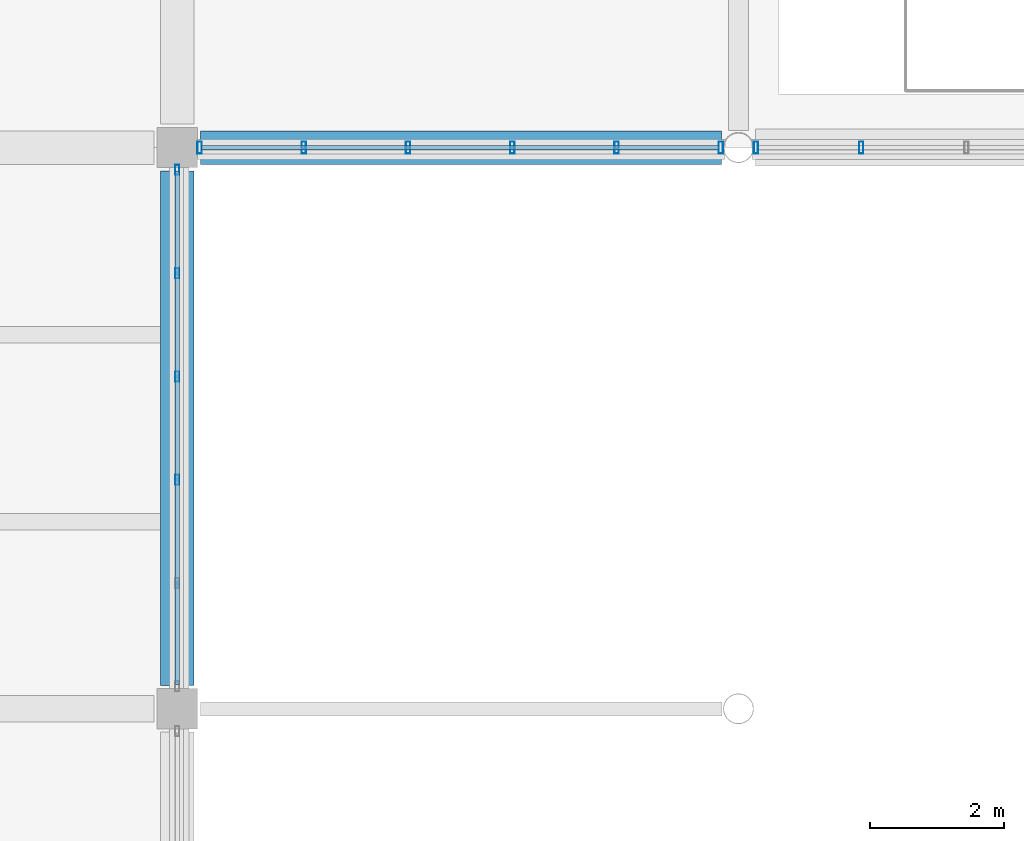
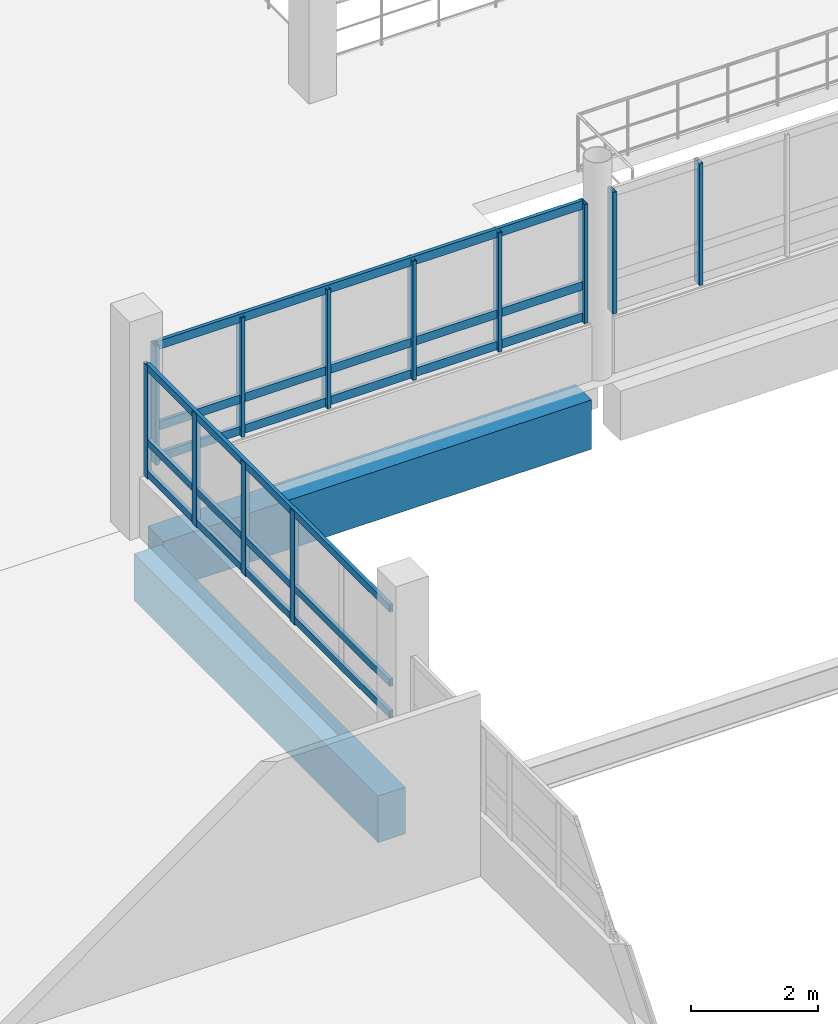
# One storey, part 49 of 101: 18 members, 2 beams, 3 elements without a shape of their own.
"""IFC4 building model written with IfcOpenShell, lengths in metres."""

from ifc_helpers import new_model, si_unit, direction, frame, origin, origin_2d, place, context, subcontext, project, spatial, rectangle, hollow_rectangle, extrude, material, layer, layer_set, material_profile, profile_set, type_object, element, aggregate, save


model = new_model("IFC4")

# Units and contexts
model_context = context("Model", 3, precision=1e-05, world=origin(), true_north=direction((0.0, 1.0)))
body_context = subcontext(model_context, "Body", "Model", "MODEL_VIEW")
ifc_project = project(units=[si_unit("LENGTHUNIT", "METRE"), si_unit("AREAUNIT", "SQUARE_METRE"), si_unit("VOLUMEUNIT", "CUBIC_METRE"), si_unit("PLANEANGLEUNIT", "RADIAN"), si_unit("MASSUNIT", "GRAM", prefix="KILO")], contexts=[model_context])

# Site, building, storey
site_placement = place(None, origin())
site = spatial("IfcSite", under=ifc_project, at=site_placement, CompositionType="ELEMENT")
building_placement = place(site_placement, origin())
building = spatial("IfcBuilding", under=site, at=building_placement, Name="Vireocrest Preparatory School", CompositionType="ELEMENT")
storey_placement = place(building_placement, frame((0.0, 0.0, 4.800048828125)))
storey = spatial("IfcBuildingStorey", under=building, at=storey_placement, Name="L01", CompositionType="ELEMENT", Elevation=4.800048828125)

# Curtain wall, members
ifc_material_1 = material(Name="Thermally broken aluminium EN AW-6063-T6", Category="aluminium")
ifc_layer_1 = layer(ifc_material_1, 0.179931640625)
ifc_layer_set_1 = layer_set([ifc_layer_1], Name="Thermally broken aluminium EN AW-6063-T6")
curtain_wall_type_1 = type_object("IfcCurtainWallType", Name="Court Banded Curtain Wall 8400x3000", PredefinedType="USERDEFINED", material=ifc_layer_set_1)
curtain_wall_1_placement = place(storey_placement, origin())
curtain_wall_1 = element("IfcCurtainWall", 1, at=curtain_wall_1_placement, inside=storey, type_object=curtain_wall_type_1, Name="Curtain Wall CW02 CW_L01_CW02_0672_0777_060", ObjectType="CURTAIN WALL", PredefinedType="USERDEFINED")
ifc_material_profile_1 = material_profile(ifc_material_1, hollow_rectangle(XDim=0.06494140625, YDim=0.14990234375, WallThickness=0.00390625, at=origin_2d()), Name="ALU 65x150x4")
ifc_profile_set_1 = profile_set([ifc_material_profile_1], Name="Thermally broken aluminium EN AW-6063-T6")
member_type_1 = type_object("IfcMemberType", Name="CW Mullion 65x150x4", PredefinedType="MULLION", material=ifc_profile_set_1)
member_1_placement = place(storey_placement, frame((67.199951171875, 80.826904296875, 1.14990234375), z_axis=(0.0, 0.0, 1.0), x_axis=(1.0, 0.0, 0.0)))
member_1 = element("IfcMember", 2, at=member_1_placement, type_object=member_type_1, Name="CW Mullion ML1 CW_L01_CW02_0672_0777_060-3", PredefinedType="MULLION", context=body_context, shape_type="SweptSolid", body=[
    extrude(hollow_rectangle(XDim=0.06494140625, YDim=0.14990234375, WallThickness=0.00390625, at=origin_2d()), origin(), (0.0, 0.0, 1.0), 2.175048828125),
])
member_2_placement = place(storey_placement, frame((67.199951171875, 82.373046875, 1.14990234375), z_axis=(0.0, 0.0, 1.0), x_axis=(1.0, 0.0, 0.0)))
member_2 = element("IfcMember", 3, at=member_2_placement, type_object=member_type_1, Name="CW Mullion ML1 CW_L01_CW02_0672_0777_060-4", PredefinedType="MULLION", context=body_context, shape_type="SweptSolid", body=[
    extrude(hollow_rectangle(XDim=0.06494140625, YDim=0.14990234375, WallThickness=0.00390625, at=origin_2d()), origin(), (0.0, 0.0, 1.0), 2.175048828125),
])
member_3_placement = place(storey_placement, frame((67.199951171875, 83.9189453125, 1.14990234375), z_axis=(0.0, 0.0, 1.0), x_axis=(1.0, 0.0, 0.0)))
member_3 = element("IfcMember", 4, at=member_3_placement, type_object=member_type_1, Name="CW Mullion ML1 CW_L01_CW02_0672_0777_060-5", PredefinedType="MULLION", context=body_context, shape_type="SweptSolid", body=[
    extrude(hollow_rectangle(XDim=0.06494140625, YDim=0.14990234375, WallThickness=0.00390625, at=origin_2d()), origin(), (0.0, 0.0, 1.0), 2.175048828125),
])
member_4_placement = place(storey_placement, frame((67.199951171875, 85.465087890625, 1.14990234375), z_axis=(0.0, 0.0, 1.0), x_axis=(1.0, 0.0, 0.0)))
member_4 = element("IfcMember", 5, at=member_4_placement, type_object=member_type_1, Name="CW Mullion ML1 CW_L01_CW02_0672_0777_060-6", PredefinedType="MULLION", context=body_context, shape_type="SweptSolid", body=[
    extrude(hollow_rectangle(XDim=0.06494140625, YDim=0.14990234375, WallThickness=0.00390625, at=origin_2d()), origin(), (0.0, 0.0, 1.0), 2.175048828125),
])

ifc_layer_2 = layer(ifc_material_1, 0.179931640625)
ifc_layer_set_2 = layer_set([ifc_layer_2], Name="Thermally broken aluminium EN AW-6063-T6")
curtain_wall_type_2 = type_object("IfcCurtainWallType", Name="Court Banded Curtain Wall 8400x3600", PredefinedType="USERDEFINED", material=ifc_layer_set_2)
curtain_wall_2_placement = place(storey_placement, origin())
curtain_wall_2 = element("IfcCurtainWall", 6, at=curtain_wall_2_placement, inside=storey, type_object=curtain_wall_type_2, Name="Curtain Wall CW01 CW_L01_CW01_0675_0858_059", ObjectType="CURTAIN WALL", PredefinedType="USERDEFINED")
ifc_material_profile_2 = material_profile(ifc_material_1, hollow_rectangle(XDim=0.06494140625, YDim=0.179931640625, WallThickness=0.00390625, at=origin_2d()), Name="ALU 65x180x4")
ifc_profile_set_2 = profile_set([ifc_material_profile_2], Name="Thermally broken aluminium EN AW-6063-T6")
member_type_2 = type_object("IfcMemberType", Name="CW Mullion 65x180x4", PredefinedType="MULLION", material=ifc_profile_set_2)
member_5_placement = place(storey_placement, frame((67.534912109375, 85.800048828125, 1.099853515625), z_axis=(0.0, 0.0, 1.0), x_axis=(1.0, 0.0, 0.0)))
member_5 = element("IfcMember", 7, at=member_5_placement, type_object=member_type_2, Name="CW Mullion ML2 CW_L01_CW01_0675_0858_059-1", PredefinedType="MULLION", context=body_context, shape_type="SweptSolid", body=[
    extrude(hollow_rectangle(XDim=0.06494140625, YDim=0.179931640625, WallThickness=0.00390625, at=origin_2d()), origin(), (0.0, 0.0, 1.0), 2.295166015625),
])
member_6_placement = place(storey_placement, frame((69.09521484375, 85.800048828125, 1.099853515625), z_axis=(0.0, 0.0, 1.0), x_axis=(1.0, 0.0, 0.0)))
member_6 = element("IfcMember", 8, at=member_6_placement, type_object=member_type_2, Name="CW Mullion ML2 CW_L01_CW01_0675_0858_059-2", PredefinedType="MULLION", context=body_context, shape_type="SweptSolid", body=[
    extrude(hollow_rectangle(XDim=0.06494140625, YDim=0.179931640625, WallThickness=0.00390625, at=origin_2d()), origin(), (0.0, 0.0, 1.0), 2.295166015625),
])
member_7_placement = place(storey_placement, frame((70.655517578125, 85.800048828125, 1.099853515625), z_axis=(0.0, 0.0, 1.0), x_axis=(1.0, 0.0, 0.0)))
member_7 = element("IfcMember", 9, at=member_7_placement, type_object=member_type_2, Name="CW Mullion ML2 CW_L01_CW01_0675_0858_059-3", PredefinedType="MULLION", context=body_context, shape_type="SweptSolid", body=[
    extrude(hollow_rectangle(XDim=0.06494140625, YDim=0.179931640625, WallThickness=0.00390625, at=origin_2d()), origin(), (0.0, 0.0, 1.0), 2.295166015625),
])
member_8_placement = place(storey_placement, frame((72.2158203125, 85.800048828125, 1.099853515625), z_axis=(0.0, 0.0, 1.0), x_axis=(1.0, 0.0, 0.0)))
member_8 = element("IfcMember", 10, at=member_8_placement, type_object=member_type_2, Name="CW Mullion ML2 CW_L01_CW01_0675_0858_059-4", PredefinedType="MULLION", context=body_context, shape_type="SweptSolid", body=[
    extrude(hollow_rectangle(XDim=0.06494140625, YDim=0.179931640625, WallThickness=0.00390625, at=origin_2d()), origin(), (0.0, 0.0, 1.0), 2.295166015625),
])
member_9_placement = place(storey_placement, frame((73.776123046875, 85.800048828125, 1.099853515625), z_axis=(0.0, 0.0, 1.0), x_axis=(1.0, 0.0, 0.0)))
member_9 = element("IfcMember", 11, at=member_9_placement, type_object=member_type_2, Name="CW Mullion ML2 CW_L01_CW01_0675_0858_059-5", PredefinedType="MULLION", context=body_context, shape_type="SweptSolid", body=[
    extrude(hollow_rectangle(XDim=0.06494140625, YDim=0.179931640625, WallThickness=0.00390625, at=origin_2d()), origin(), (0.0, 0.0, 1.0), 2.295166015625),
])
member_10_placement = place(storey_placement, frame((75.33642578125, 85.800048828125, 1.099853515625), z_axis=(0.0, 0.0, 1.0), x_axis=(1.0, 0.0, 0.0)))
member_10 = element("IfcMember", 12, at=member_10_placement, type_object=member_type_2, Name="CW Mullion ML2 CW_L01_CW01_0675_0858_059-6", PredefinedType="MULLION", context=body_context, shape_type="SweptSolid", body=[
    extrude(hollow_rectangle(XDim=0.06494140625, YDim=0.179931640625, WallThickness=0.00390625, at=origin_2d()), origin(), (0.0, 0.0, 1.0), 2.295166015625),
])

curtain_wall_3_placement = place(storey_placement, origin())
curtain_wall_3 = element("IfcCurtainWall", 13, at=curtain_wall_3_placement, inside=storey, type_object=curtain_wall_type_2, Name="Curtain Wall CW01 CW_L01_CW01_0758_0858_059", ObjectType="CURTAIN WALL", PredefinedType="USERDEFINED")
member_11_placement = place(storey_placement, frame((75.863525390625, 85.800048828125, 1.099853515625), z_axis=(0.0, 0.0, 1.0), x_axis=(1.0, 0.0, 0.0)))
member_11 = element("IfcMember", 14, at=member_11_placement, type_object=member_type_2, Name="CW Mullion ML2 CW_L01_CW01_0758_0858_059-1", PredefinedType="MULLION", context=body_context, shape_type="SweptSolid", body=[
    extrude(hollow_rectangle(XDim=0.06494140625, YDim=0.179931640625, WallThickness=0.00390625, at=origin_2d()), origin(), (0.0, 0.0, 1.0), 2.34521484375),
])
member_12_placement = place(storey_placement, frame((77.438232421875, 85.800048828125, 1.099853515625), z_axis=(0.0, 0.0, 1.0), x_axis=(1.0, 0.0, 0.0)))
member_12 = element("IfcMember", 15, at=member_12_placement, type_object=member_type_2, Name="CW Mullion ML2 CW_L01_CW01_0758_0858_059-2", PredefinedType="MULLION", context=body_context, shape_type="SweptSolid", body=[
    extrude(hollow_rectangle(XDim=0.06494140625, YDim=0.179931640625, WallThickness=0.00390625, at=origin_2d()), origin(), (0.0, 0.0, 1.0), 2.34521484375),
])
aggregate(curtain_wall_3, [member_11, member_12])

# Member
ifc_material_profile_3 = material_profile(ifc_material_1, hollow_rectangle(XDim=0.06494140625, YDim=0.139892578125, WallThickness=0.00390625, at=origin_2d()), Name="ALU 65x140x4")
ifc_profile_set_3 = profile_set([ifc_material_profile_3], Name="Thermally broken aluminium EN AW-6063-T6")
member_type_3 = type_object("IfcMemberType", Name="CW Transom 65x140x4", PredefinedType="USERDEFINED", material=ifc_profile_set_3)
member_13_placement = place(storey_placement, frame((67.199951171875, 77.760009765625, 1.244873046875), z_axis=(0.0, 1.0, 0.0), x_axis=(-1.0, 0.0, 0.0)))
member_13 = element("IfcMember", 16, at=member_13_placement, type_object=member_type_3, Name="CW Transom TR1 CW_L01_CW02_0672_0777_060-1", ObjectType="TRANSOM", PredefinedType="USERDEFINED", context=body_context, shape_type="SweptSolid", body=[
    extrude(hollow_rectangle(XDim=0.06494140625, YDim=0.139892578125, WallThickness=0.00390625, at=origin_2d()), origin(), (0.0, 0.0, 1.0), 7.679931640625),
])

member_14_placement = place(storey_placement, frame((67.199951171875, 77.760009765625, 1.849853515625), z_axis=(0.0, 1.0, 0.0), x_axis=(-1.0, 0.0, 0.0)))
member_14 = element("IfcMember", 17, at=member_14_placement, type_object=member_type_3, Name="CW Transom TR1 CW_L01_CW02_0672_0777_060-2", ObjectType="TRANSOM", PredefinedType="USERDEFINED", context=body_context, shape_type="SweptSolid", body=[
    extrude(hollow_rectangle(XDim=0.06494140625, YDim=0.139892578125, WallThickness=0.00390625, at=origin_2d()), origin(), (0.0, 0.0, 1.0), 7.679931640625),
])

member_15_placement = place(storey_placement, frame((67.199951171875, 77.760009765625, 3.284912109375), z_axis=(0.0, 1.0, 0.0), x_axis=(-1.0, 0.0, 0.0)))
member_15 = element("IfcMember", 18, at=member_15_placement, type_object=member_type_3, Name="CW Transom TR1 CW_L01_CW02_0672_0777_060-3", ObjectType="TRANSOM", PredefinedType="USERDEFINED", context=body_context, shape_type="SweptSolid", body=[
    extrude(hollow_rectangle(XDim=0.06494140625, YDim=0.139892578125, WallThickness=0.00390625, at=origin_2d()), origin(), (0.0, 0.0, 1.0), 7.679931640625),
])

aggregate(curtain_wall_1, [member_1, member_2, member_3, member_4, member_13, member_14, member_15])

ifc_material_profile_4 = material_profile(ifc_material_1, hollow_rectangle(XDim=0.06494140625, YDim=0.1650390625, WallThickness=0.00390625, at=origin_2d()), Name="ALU 65x165x4")
ifc_profile_set_4 = profile_set([ifc_material_profile_4], Name="Thermally broken aluminium EN AW-6063-T6")
member_type_4 = type_object("IfcMemberType", Name="CW Transom 65x165x4", PredefinedType="USERDEFINED", material=ifc_profile_set_4)
member_16_placement = place(storey_placement, frame((67.56005859375, 85.800048828125, 1.195068359375), z_axis=(1.0, 0.0, 0.0), x_axis=(0.0, 1.0, 0.0)))
member_16 = element("IfcMember", 19, at=member_16_placement, type_object=member_type_4, Name="CW Transom TR2 CW_L01_CW01_0675_0858_059-1", ObjectType="TRANSOM", PredefinedType="USERDEFINED", context=body_context, shape_type="SweptSolid", body=[
    extrude(hollow_rectangle(XDim=0.06494140625, YDim=0.1650390625, WallThickness=0.00390625, at=origin_2d()), origin(), (0.0, 0.0, 1.0), 7.751220703125),
])

member_17_placement = place(storey_placement, frame((67.56005859375, 85.800048828125, 1.800048828125), z_axis=(1.0, 0.0, 0.0), x_axis=(0.0, 1.0, 0.0)))
member_17 = element("IfcMember", 20, at=member_17_placement, type_object=member_type_4, Name="CW Transom TR2 CW_L01_CW01_0675_0858_059-2", ObjectType="TRANSOM", PredefinedType="USERDEFINED", context=body_context, shape_type="SweptSolid", body=[
    extrude(hollow_rectangle(XDim=0.06494140625, YDim=0.1650390625, WallThickness=0.00390625, at=origin_2d()), origin(), (0.0, 0.0, 1.0), 7.751220703125),
])

member_18_placement = place(storey_placement, frame((67.56005859375, 85.800048828125, 3.35498046875), z_axis=(1.0, 0.0, 0.0), x_axis=(0.0, 1.0, 0.0)))
member_18 = element("IfcMember", 21, at=member_18_placement, type_object=member_type_4, Name="CW Transom TR2 CW_L01_CW01_0675_0858_059-3", ObjectType="TRANSOM", PredefinedType="USERDEFINED", context=body_context, shape_type="SweptSolid", body=[
    extrude(hollow_rectangle(XDim=0.06494140625, YDim=0.1650390625, WallThickness=0.00390625, at=origin_2d()), origin(), (0.0, 0.0, 1.0), 7.751220703125),
])

aggregate(curtain_wall_2, [member_5, member_6, member_7, member_8, member_9, member_10, member_16, member_17, member_18])

# Beams
ifc_material_2 = material(Name="Concrete 40 MPa", Category="concrete")
ifc_material_profile_5 = material_profile(ifc_material_2, rectangle(XDim=0.5, YDim=0.949951171875, at=origin_2d()), Name="RC 500x950")
ifc_profile_set_5 = profile_set([ifc_material_profile_5], Name="Concrete 40 MPa")
beam_type_1 = type_object("IfcBeamType", Name="RC Basement Ceiling Girder 500x950", PredefinedType="BEAM", material=ifc_profile_set_5)
beam_1_placement = place(storey_placement, frame((67.550048828125, 85.800048828125, -0.755126953125), z_axis=(1.0, 0.0, 0.0), x_axis=(0.0, 1.0, 0.0)))
element("IfcBeam", 22, at=beam_1_placement, inside=storey, type_object=beam_type_1, Name="Primary Girder B16 L01-0338", PredefinedType="BEAM", context=body_context, shape_type="SweptSolid", body=[
    extrude(rectangle(XDim=0.5, YDim=0.949951171875, at=origin_2d()), origin(), (0.0, 0.0, 1.0), 7.7958984375),
])
ifc_material_profile_6 = material_profile(ifc_material_2, rectangle(XDim=0.5, YDim=0.89990234375, at=origin_2d()), Name="RC 500x900")
ifc_profile_set_6 = profile_set([ifc_material_profile_6], Name="Concrete 40 MPa")
beam_type_2 = type_object("IfcBeamType", Name="RC Podium Girder 500x900", PredefinedType="BEAM", material=ifc_profile_set_6)
beam_2_placement = place(storey_placement, frame((67.199951171875, 77.75, -0.68994140625), z_axis=(0.0, 1.0, 0.0), x_axis=(-1.0, 0.0, 0.0)))
element("IfcBeam", 23, at=beam_2_placement, inside=storey, type_object=beam_type_2, Name="Primary Girder B15 L01-0422", PredefinedType="BEAM", context=body_context, shape_type="SweptSolid", body=[
    extrude(rectangle(XDim=0.5, YDim=0.89990234375, at=origin_2d()), origin(), (0.0, 0.0, 1.0), 7.699951171875),
])

save(model, "model.ifc")
